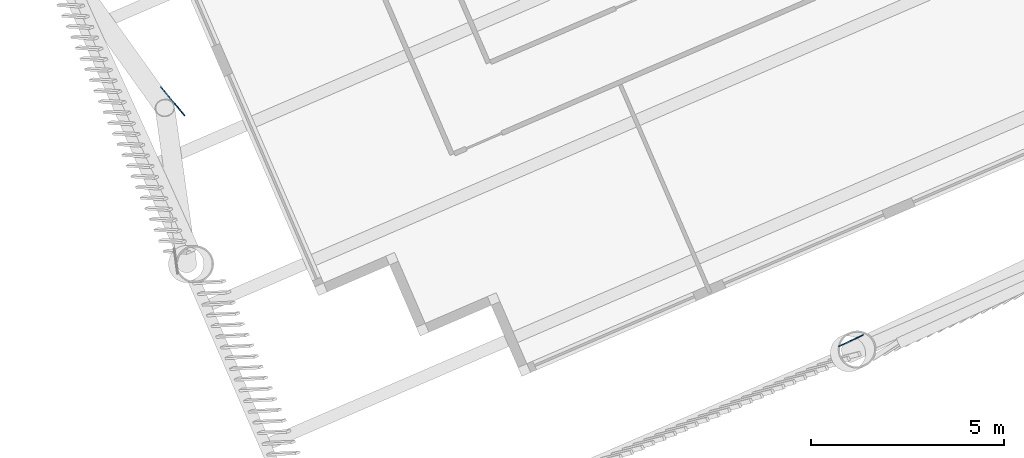
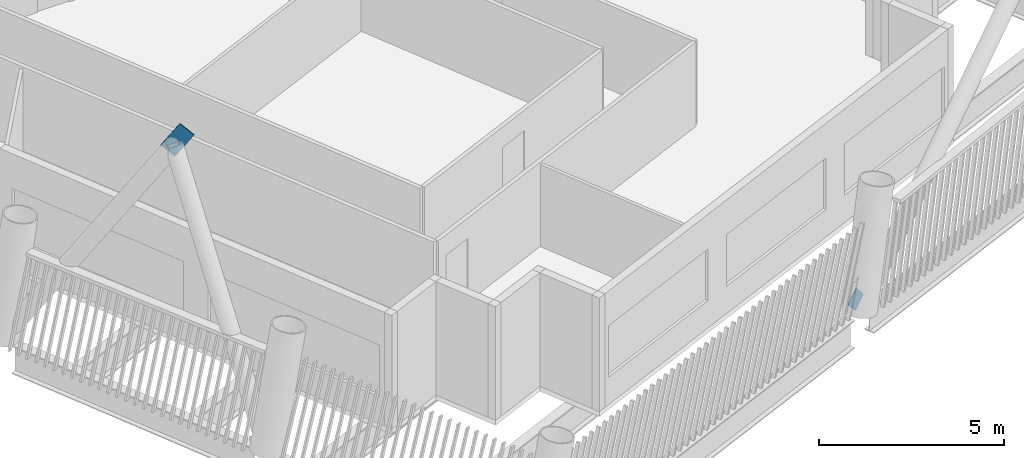
# One storey, part 8 of 23: 2 discrete accessories.
"""IFC4 building model written with IfcOpenShell, lengths in metres."""

from ifc_helpers import new_model, si_unit, direction, frame, origin, origin_2d, place, context, subcontext, project, spatial, rectangle, extrude, material, material_profile, profile_set, type_object, element, save


model = new_model("IFC4")

# Units and contexts
model_context = context("Model", 3, precision=1e-05, world=origin(), true_north=direction((0.0, 1.0)))
body_context = subcontext(model_context, "Body", "Model", "MODEL_VIEW")
ifc_project = project(units=[si_unit("LENGTHUNIT", "METRE"), si_unit("AREAUNIT", "SQUARE_METRE"), si_unit("VOLUMEUNIT", "CUBIC_METRE"), si_unit("PLANEANGLEUNIT", "RADIAN"), si_unit("MASSUNIT", "GRAM", prefix="KILO")], contexts=[model_context])

# Site, building, storey
site_placement = place(None, origin())
site = spatial("IfcSite", under=ifc_project, at=site_placement, CompositionType="ELEMENT")
building_placement = place(site_placement, origin())
building = spatial("IfcBuilding", under=site, at=building_placement, Name="Tarsis Ring Headquarters", CompositionType="ELEMENT")
storey_placement = place(building_placement, frame((0.0, 0.0, 323.60009765625)))
storey = spatial("IfcBuildingStorey", under=building, at=storey_placement, Name="L76", CompositionType="ELEMENT", Elevation=323.60009765625)

# Discrete accessories
ifc_material = material(Name="Structural steel S355", Category="steel")
ifc_material_profile = material_profile(ifc_material, rectangle(XDim=0.02490234375, YDim=0.5, at=origin_2d()), Name="PL 25x500")
ifc_profile_set = profile_set([ifc_material_profile], Name="Structural steel S355")
discrete_accessory_type = type_object("IfcDiscreteAccessoryType", Name="Gusset plate Exo brace 25", PredefinedType="BRACKET", material=ifc_profile_set)
discrete_accessory_1_placement = place(storey_placement, frame((-0.684326171875, -32.56787109375, 7.3818359375), z_axis=(0.348817963166, -0.423512362556, 0.836040254614), x_axis=(0.771891707266, 0.635754034399, 0.0)))
element("IfcDiscreteAccessory", 1, at=discrete_accessory_1_placement, inside=storey, type_object=discrete_accessory_type, Name="Gusset plate GP5", PredefinedType="BRACKET", context=body_context, shape_type="SweptSolid", body=[
    extrude(rectangle(XDim=0.02490234375, YDim=0.5, at=origin_2d()), origin(), (0.0, 0.0, 1.0), 1.000244140625),
])
discrete_accessory_2_placement = place(storey_placement, frame((16.856689453125, -39.05078125, 0.0), z_axis=(0.682079227539, 0.321753909054, 0.656690451711), x_axis=(-0.426638659514, 0.90442216592, 0.0)))
element("IfcDiscreteAccessory", 2, at=discrete_accessory_2_placement, inside=storey, type_object=discrete_accessory_type, Name="Gusset plate GP5", PredefinedType="BRACKET", context=body_context, shape_type="SweptSolid", body=[
    extrude(rectangle(XDim=0.02490234375, YDim=0.5, at=origin_2d()), origin(), (0.0, 0.0, 1.0), 0.5),
])

save(model, "model.ifc")
